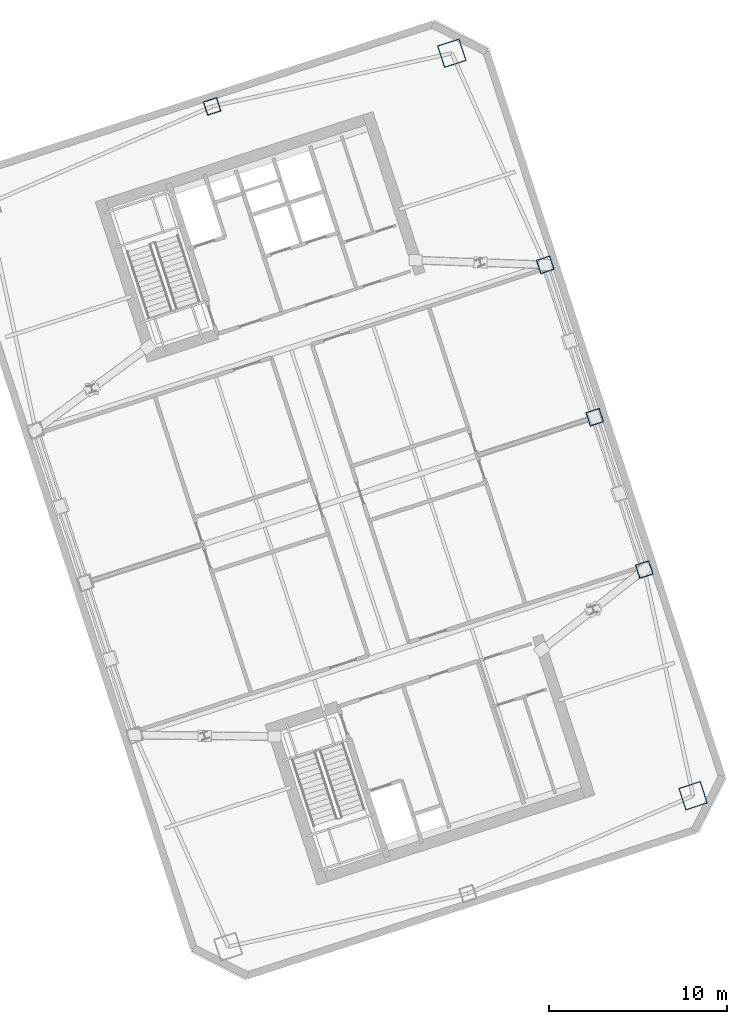
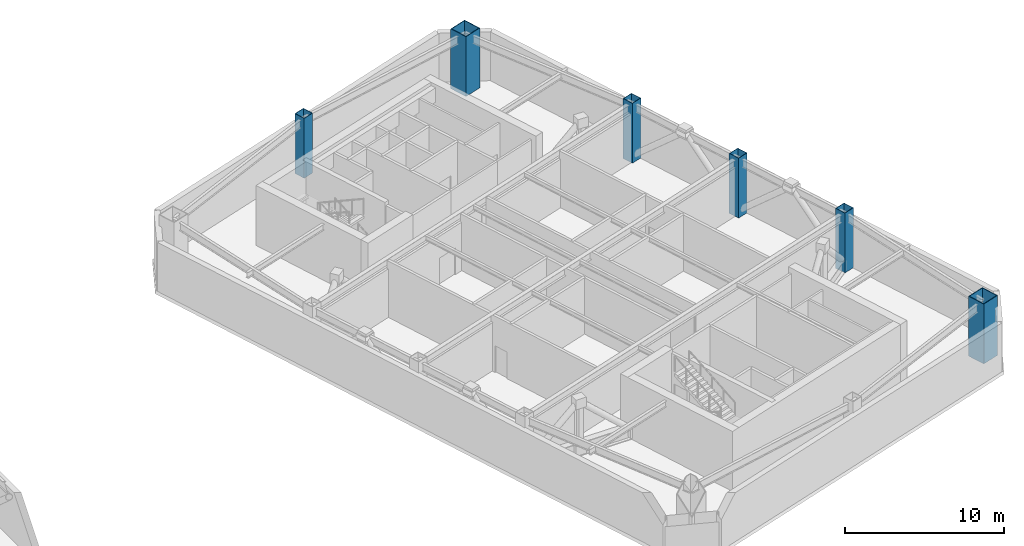
# One storey, part 2 of 17: 6 columns.
"""IFC4 building model written with IfcOpenShell, lengths in metres."""

import ifcopenshell
import ifcopenshell.guid

model = None  # the IFC model being written
_history = None  # IfcOwnerHistory: only IFC2X3 demands one
_inside = {}  # id of a spatial element -> (the spatial element, [elements in it])
_under = {}  # id of a project, library or spatial element -> (it, [spatial elements below it])
_declared = {}  # id of a project -> (the project, [libraries it declares])
_typed = {}  # id of a type object -> (the type object, [elements of that type])
_made_of = {}  # id of a material, layer set ... -> (it, [elements and type objects made of it])


def new_model(schema):
    """Start an empty IFC model of exactly this schema.

    Asked for "IFC4X3", IfcOpenShell would pick the latest addendum, in which some entities
    have other attributes; the version numbers below select the first issue.
    IFC2X3 requires an IfcOwnerHistory on every rooted entity: one is made here for all.
    """
    global model, _history
    if schema == "IFC4X3":
        model = ifcopenshell.file(schema_version=(4, 3, 0, 0))
    else:
        model = ifcopenshell.file(schema=schema)
    _inside.clear()
    _under.clear()
    _declared.clear()
    _typed.clear()
    _made_of.clear()
    _history = None
    if model.schema == "IFC2X3":
        org = make("IfcOrganization", Name="unknown")
        user = make(
            "IfcPersonAndOrganization",
            ThePerson=make("IfcPerson", FamilyName="unknown"),
            TheOrganization=org,
        )
        app = make(
            "IfcApplication",
            ApplicationDeveloper=org,
            Version="unknown",
            ApplicationFullName="unknown",
            ApplicationIdentifier="unknown",
        )
        _history = make(
            "IfcOwnerHistory",
            OwningUser=user,
            OwningApplication=app,
            ChangeAction="ADDED",
            CreationDate=0,
        )
    return model


def make(cls, **values):
    """One entity of the class cls with the attributes given. An attribute that is None is left unset."""
    return model.create_entity(
        cls, **{name: value for name, value in values.items() if value is not None}
    )


def rooted(cls, **values):
    """An entity with a GlobalId (a new one), such as an element, a storey or a relation."""
    return make(cls, GlobalId=ifcopenshell.guid.new(), OwnerHistory=_history, **values)


def si_unit(unit_type, name, prefix=None):
    """IfcSIUnit, for example si_unit("LENGTHUNIT", "METRE", prefix="MILLI")."""
    return make("IfcSIUnit", UnitType=unit_type, Prefix=prefix, Name=name)


def assignment(units):
    """IfcUnitAssignment: the units of a project."""
    return None if units is None else make("IfcUnitAssignment", Units=units)


def point(xyz):
    """IfcCartesianPoint."""
    return None if xyz is None else make("IfcCartesianPoint", Coordinates=xyz)


def direction(xyz):
    """IfcDirection."""
    return None if xyz is None else make("IfcDirection", DirectionRatios=xyz)


def frame(location, z_axis=None, x_axis=None):
    """IfcAxis2Placement3D, a coordinate frame: its origin and axes. An axis left out is left unset."""
    return make(
        "IfcAxis2Placement3D",
        Location=point(location),
        Axis=direction(z_axis),
        RefDirection=direction(x_axis),
    )


def frame_2d(location, x_axis=None):
    """IfcAxis2Placement2D, a coordinate frame in the plane: its origin and x axis."""
    return make(
        "IfcAxis2Placement2D", Location=point(location), RefDirection=direction(x_axis)
    )


def origin():
    """The frame at (0, 0, 0) with its axes left unset."""
    return frame((0.0, 0.0, 0.0))


def origin_2d():
    """The frame at (0, 0) in the plane with its x axis left unset."""
    return frame_2d((0.0, 0.0))


def place(relative_to, where):
    """IfcLocalPlacement: puts the frame where relative to a parent placement (None: the world)."""
    return make(
        "IfcLocalPlacement", PlacementRelTo=relative_to, RelativePlacement=where
    )


def context(
    kind, dimensions, precision=None, world=None, true_north=None, identifier=None
):
    """IfcGeometricRepresentationContext, for example the 3D "Model" context."""
    return make(
        "IfcGeometricRepresentationContext",
        ContextIdentifier=identifier,
        ContextType=kind,
        CoordinateSpaceDimension=dimensions,
        Precision=precision,
        WorldCoordinateSystem=world,
        TrueNorth=true_north,
    )


def subcontext(parent, identifier, kind, view, scale=None):
    """IfcGeometricRepresentationSubContext, for example "Body" below "Model"."""
    return make(
        "IfcGeometricRepresentationSubContext",
        ContextIdentifier=identifier,
        ContextType=kind,
        ParentContext=parent,
        TargetScale=scale,
        TargetView=view,
    )


def project(units=None, contexts=None):
    """IfcProject with its units and contexts."""
    return rooted(
        "IfcProject",
        Name="project",
        RepresentationContexts=contexts,
        UnitsInContext=assignment(units),
    )


def spatial(cls, under=None, at=None, **own):
    """A site, building, storey or space (cls), placed at a placement, below another one or the project."""
    s = rooted(cls, ObjectPlacement=at, **own)
    if under is not None:
        _under.setdefault(under.id(), (under, []))[1].append(s)
    return s


def profile(cls, at=None, kind="AREA", **sizes):
    """A parametric profile (cls). Its sizes go by their IFC names, for example OverallWidth=200.0."""
    return make(cls, ProfileType=kind, Position=at, **sizes)


def hollow_rectangle(**sizes):
    """IfcRectangleHollowProfileDef."""
    return profile("IfcRectangleHollowProfileDef", **sizes)


def extrude(swept, where, along, depth):
    """IfcExtrudedAreaSolid: the profile swept, set in the frame where, extruded along a direction by depth."""
    return make(
        "IfcExtrudedAreaSolid",
        SweptArea=swept,
        Position=where,
        ExtrudedDirection=direction(along),
        Depth=depth,
    )


def shape(context_of_items, identifier, shape_type, items):
    """IfcShapeRepresentation: the items that make up one representation, for example the "Body"."""
    return make(
        "IfcShapeRepresentation",
        ContextOfItems=context_of_items,
        RepresentationIdentifier=identifier,
        RepresentationType=shape_type,
        Items=items,
    )


def material(Name=None, Category=None):
    """IfcMaterial."""
    return make("IfcMaterial", Name=Name, Category=Category)


def material_profile(
    of_material, cross_section, Name=None, Category=None, Priority=None
):
    """IfcMaterialProfile: a cross section and its material."""
    return make(
        "IfcMaterialProfile",
        Name=Name,
        Material=of_material,
        Profile=cross_section,
        Priority=Priority,
        Category=Category,
    )


def profile_set(profiles, Name=None, composite=None):
    """IfcMaterialProfileSet."""
    return make(
        "IfcMaterialProfileSet",
        Name=Name,
        MaterialProfiles=profiles,
        CompositeProfile=composite,
    )


def made_of(thing, what):
    """Note that an element or type object is made of a material, layer set ...; save() writes the relation."""
    if what is not None:
        _made_of.setdefault(what.id(), (what, []))[1].append(thing)
    return thing


def type_object(cls, material=None, **own):
    """A type object (cls), such as IfcWallType, which elements share."""
    return made_of(rooted(cls, **own), material)


def element(
    cls,
    number,
    at=None,
    inside=None,
    cuts=None,
    type_object=None,
    material=None,
    context=None,
    identifier="Body",
    shape_type=None,
    held_by="IfcProductDefinitionShape",
    body=None,
    shapes=None,
    **own,
):
    """One element of the class cls, such as IfcWall. Its Tag is "e" and its number.

    at: its placement. inside: the storey or other place that contains it. cuts: it is an
    opening in that element (IfcRelVoidsElement). A single representation is given by context,
    identifier, shape_type and body (its items); several are given by shapes. held_by: the class
    of the entity that holds the representations. save() writes the other relations.
    """
    e = rooted(cls, Tag="e%d" % number, ObjectPlacement=at, **own)
    if body is not None:
        shapes = [shape(context, identifier, shape_type, body)]
    if shapes is not None:
        e.Representation = make(held_by, Representations=shapes)
    if inside is not None:
        _inside.setdefault(inside.id(), (inside, []))[1].append(e)
    if cuts is not None:
        rooted(
            "IfcRelVoidsElement", RelatingBuildingElement=cuts, RelatedOpeningElement=e
        )
    if type_object is not None:
        _typed.setdefault(type_object.id(), (type_object, []))[1].append(e)
    return made_of(e, material)


def aggregate(whole, parts):
    """IfcRelAggregates: a whole, such as a stair, and the parts it consists of."""
    return rooted("IfcRelAggregates", RelatingObject=whole, RelatedObjects=parts)


def save(model, path):
    """Write the relations noted so far, then the file.

    IfcRelAggregates (storeys below a building ...), IfcRelContainedInSpatialStructure (elements
    in a storey), IfcRelDefinesByType, IfcRelAssociatesMaterial and IfcRelDeclares: one each for
    every whole, place, type object, material and project.
    """
    for whole, parts in _under.values():
        aggregate(whole, parts)
    for where, things in _inside.values():
        rooted(
            "IfcRelContainedInSpatialStructure",
            RelatedElements=things,
            RelatingStructure=where,
        )
    for kind, things in _typed.values():
        rooted("IfcRelDefinesByType", RelatedObjects=things, RelatingType=kind)
    for what, things in _made_of.values():
        rooted("IfcRelAssociatesMaterial", RelatedObjects=things, RelatingMaterial=what)
    for by, libraries in _declared.values():
        rooted("IfcRelDeclares", RelatingContext=by, RelatedDefinitions=libraries)
    model.write(path)


model = new_model("IFC4")

# Units and contexts
model_context = context("Model", 3, precision=1e-05, world=origin(), true_north=direction((0.0, 1.0)))
body_context = subcontext(model_context, "Body", "Model", "MODEL_VIEW")
ifc_project = project(units=[si_unit("LENGTHUNIT", "METRE"), si_unit("AREAUNIT", "SQUARE_METRE"), si_unit("VOLUMEUNIT", "CUBIC_METRE"), si_unit("PLANEANGLEUNIT", "RADIAN"), si_unit("MASSUNIT", "GRAM", prefix="KILO")], contexts=[model_context])

# Site, building, storey
site_placement = place(None, origin())
site = spatial("IfcSite", under=ifc_project, at=site_placement, CompositionType="ELEMENT")
building_placement = place(site_placement, origin())
building = spatial("IfcBuilding", under=site, at=building_placement, Name="Qiaolan Cultural Towers", CompositionType="ELEMENT")
storey_placement = place(building_placement, frame((0.0, 0.0, 184.0)))
storey = spatial("IfcBuildingStorey", under=building, at=storey_placement, Name="L49", CompositionType="ELEMENT", Elevation=184.0)

# Columns
ifc_material_1 = material(Name="Steel Q390GJB", Category="steel")
ifc_material_profile_1 = material_profile(ifc_material_1, hollow_rectangle(XDim=1.300048828125, YDim=1.300048828125, WallThickness=0.044921875, at=origin_2d()), Name="BOX1300x1300x45")
ifc_profile_set_1 = profile_set([ifc_material_profile_1], Name="Steel Q390GJB")
column_type_1 = type_object("IfcColumnType", Name="COL-BOX1300x1300x45", PredefinedType="COLUMN", material=ifc_profile_set_1)
for number, where, z_axis, x_axis, name in (
    (1, (109.834716796875, 17.38623046875, 0.0), (0.0, 0.0, 1.0), (0.951056516295, 0.309016994375, 0.0), "L49 T2 Perimeter Column MC-SE"),
    (2, (96.28125, 59.099365234375, 0.0), (0.0, 0.0, 1.0), (0.951056516295, 0.309016994375, 0.0), "L49 T2 Perimeter Column MC-NE"),
):
    element("IfcColumn", number, at=place(storey_placement, frame(where, z_axis=z_axis, x_axis=x_axis)), inside=storey, type_object=column_type_1, Name=name, PredefinedType="COLUMN", context=body_context, shape_type="SweptSolid", body=[
        extrude(hollow_rectangle(XDim=1.300048828125, YDim=1.300048828125, WallThickness=0.044921875, at=origin_2d()), origin(), (0.0, 0.0, 1.0), 4.60107421875),
    ])
ifc_material_2 = material(Name="Steel Q355B", Category="steel")
ifc_material_profile_2 = material_profile(ifc_material_2, hollow_rectangle(XDim=0.800048828125, YDim=0.800048828125, WallThickness=0.028076171875, at=origin_2d()), Name="BOX800x800x28")
ifc_profile_set_2 = profile_set([ifc_material_profile_2], Name="Steel Q355B")
column_type_2 = type_object("IfcColumnType", Name="COL-BOX800x800x28", PredefinedType="COLUMN", material=ifc_profile_set_2)
for number, where, z_axis, x_axis, name in (
    (3, (107.094482421875, 30.09130859375, 0.0), (0.0, 0.0, 1.0), (0.951056516295, 0.309016994375, 0.0), "L49 T2 Perimeter Column PC-E1"),
    (4, (104.3134765625, 38.650634765625, 0.0), (0.0, 0.0, 1.0), (0.951056516295, 0.309016994375, 0.0), "L49 T2 Perimeter Column PC-E2"),
    (5, (101.5322265625, 47.210205078125, 0.0), (0.0, 0.0, 1.0), (0.951056516295, 0.309016994375, 0.0), "L49 T2 Perimeter Column PC-E3"),
    (6, (82.8154296875, 56.112060546875, 0.0), (0.0, 0.0, 1.0), (0.951056516295, 0.309016994375, 0.0), "L49 T2 Perimeter Column PC-N0"),
):
    element("IfcColumn", number, at=place(storey_placement, frame(where, z_axis=z_axis, x_axis=x_axis)), inside=storey, type_object=column_type_2, Name=name, PredefinedType="COLUMN", context=body_context, shape_type="SweptSolid", body=[
        extrude(hollow_rectangle(XDim=0.800048828125, YDim=0.800048828125, WallThickness=0.028076171875, at=origin_2d()), origin(), (0.0, 0.0, 1.0), 4.60107421875),
    ])

save(model, "model.ifc")
